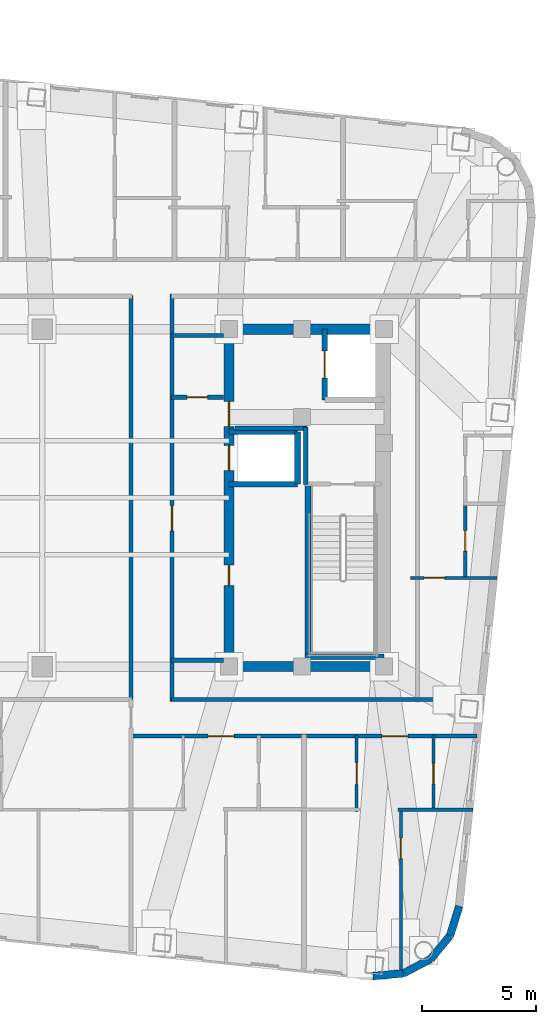
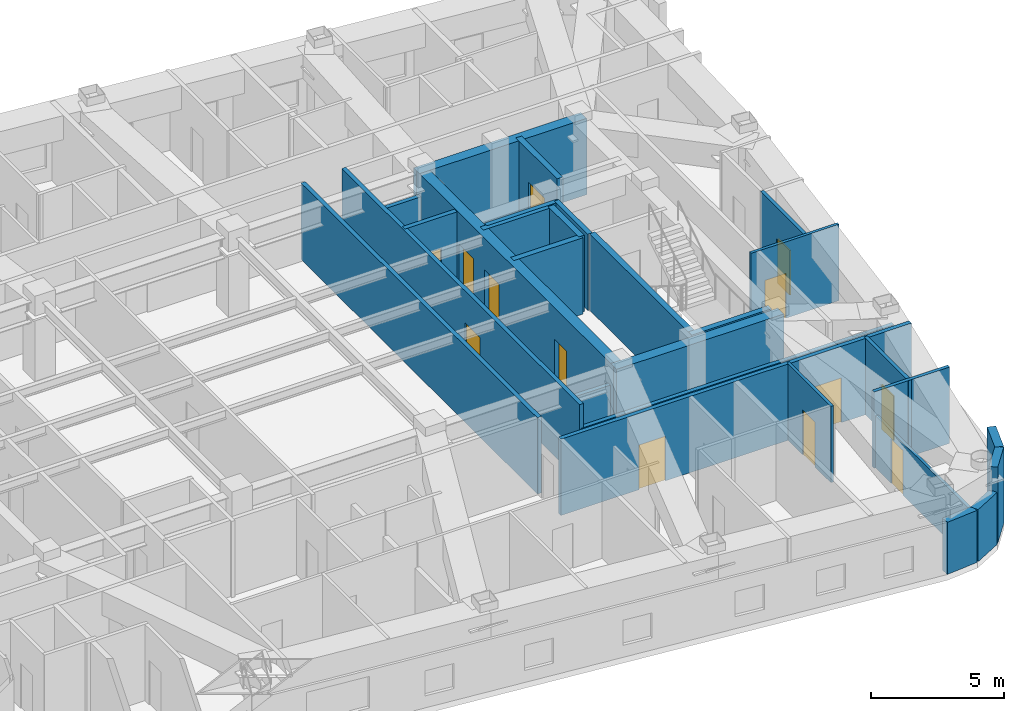
# One storey, part 7 of 12: 28 walls, 13 doors, 13 openings.
"""IFC4 building model written with IfcOpenShell, lengths in metres."""

from ifc_helpers import new_model, si_unit, direction, frame, frame_2d, origin, place, context, subcontext, project, spatial, rectangle, extrude, material, layer, layer_set, type_object, element, fill, save


model = new_model("IFC4")

# Units and contexts
model_context = context("Model", 3, precision=1e-05, world=origin(), true_north=direction((0.0, 1.0)))
body_context = subcontext(model_context, "Body", "Model", "MODEL_VIEW")
ifc_project = project(units=[si_unit("LENGTHUNIT", "METRE"), si_unit("AREAUNIT", "SQUARE_METRE"), si_unit("VOLUMEUNIT", "CUBIC_METRE"), si_unit("PLANEANGLEUNIT", "RADIAN"), si_unit("MASSUNIT", "GRAM", prefix="KILO")], contexts=[model_context])

# Site, building, storey
site_placement = place(None, origin())
site = spatial("IfcSite", under=ifc_project, at=site_placement, CompositionType="ELEMENT")
building_placement = place(site_placement, origin())
building = spatial("IfcBuilding", under=site, at=building_placement, Name="Voryun Gate Residences", CompositionType="ELEMENT")
storey_placement = place(building_placement, frame((0.0, 0.0, 306.800048828125)))
storey = spatial("IfcBuildingStorey", under=building, at=storey_placement, Name="L76", CompositionType="ELEMENT", Elevation=306.800048828125)

# Walls
ifc_material_1 = material(Name="Concrete C50/60", Category="concrete")
ifc_layer_1 = layer(ifc_material_1, 0.449951171875, Name="CW_CORE_450")
ifc_layer_set_1 = layer_set([ifc_layer_1], Name="Concrete C50/60")
wall_type_1 = type_object("IfcWallType", Name="CW_CORE_450", PredefinedType="SHEAR", material=ifc_layer_set_1)
for number, where, z_axis, x_axis, name in (
    (1, (12.175048828125, -7.39990234375, 0.0), (0.0, 0.0, 1.0), (1.0, 0.0, 0.0), "L76 Core shear wall CW-L76-ES"),
    (2, (12.175048828125, 7.39990234375, 0.0), (0.0, 0.0, 1.0), (1.0, 0.0, 0.0), "L76 Core shear wall CW-L76-EN"),
):
    element("IfcWall", number, at=place(storey_placement, frame(where, z_axis=z_axis, x_axis=x_axis)), inside=storey, type_object=wall_type_1, Name=name, PredefinedType="SHEAR", context=body_context, shape_type="SweptSolid", body=[
        extrude(rectangle(XDim=7.25, YDim=0.449951171875, at=frame_2d((3.625, 0.0))), origin(), (0.0, 0.0, 1.0), 3.5),
    ])

# Wall, openings, doors
wall_1_placement = place(storey_placement, frame((12.39990234375, -7.39990234375, 0.0), z_axis=(0.0, 0.0, 1.0), x_axis=(0.0, 1.0, 0.0)))
wall_1 = element("IfcWall", 3, at=wall_1_placement, inside=storey, type_object=wall_type_1, Name="L76 Core shear wall CW-L76-EW", PredefinedType="SHEAR", context=body_context, shape_type="SweptSolid", body=[
    extrude(rectangle(XDim=14.7998046875, YDim=0.449951171875, at=frame_2d((7.39990234375, 0.0))), origin(), (0.0, 0.0, 1.0), 3.5),
])
opening_1_placement = place(wall_1_placement, frame((8.60009765625, 0.0, 0.0)))
opening_1 = element("IfcOpeningElement", 4, at=opening_1_placement, cuts=wall_1, Name="Opening LD2", PredefinedType="OPENING", context=body_context, shape_type="SweptSolid", body=[
    extrude(rectangle(XDim=1.10009765625, YDim=2.050048828125, at=frame_2d((0.550048828125, 1.02490234375))), frame((0.0, 0.235107421875, 0.0), z_axis=(0.0, -1.0, 0.0), x_axis=(1.0, 0.0, 0.0)), (0.0, 0.0, 1.0), 0.469970703125),
])
opening_2_placement = place(wall_1_placement, frame((10.530029296875, 0.0, 0.0)))
opening_2 = element("IfcOpeningElement", 5, at=opening_2_placement, cuts=wall_1, Name="Opening D-FD60-2", PredefinedType="OPENING", context=body_context, shape_type="SweptSolid", body=[
    extrude(rectangle(XDim=1.10009765625, YDim=2.050048828125, at=frame_2d((0.550048828125, 1.02490234375))), frame((0.0, 0.235107421875, 0.0), z_axis=(0.0, -1.0, 0.0), x_axis=(1.0, 0.0, 0.0)), (0.0, 0.0, 1.0), 0.469970703125),
])
opening_3_placement = place(wall_1_placement, frame((3.550048828125, 0.0, 0.0)))
opening_3 = element("IfcOpeningElement", 6, at=opening_3_placement, cuts=wall_1, Name="Opening D-FD60-4", PredefinedType="OPENING", context=body_context, shape_type="SweptSolid", body=[
    extrude(rectangle(XDim=0.89990234375, YDim=2.050048828125, at=frame_2d((0.449951171875, 1.02490234375))), frame((0.0, 0.235107421875, 0.0), z_axis=(0.0, -1.0, 0.0), x_axis=(1.0, 0.0, 0.0)), (0.0, 0.0, 1.0), 0.469970703125),
])
ifc_material_2 = material(Name="Painted steel fire door", Category="steel")
door_type_1 = type_object("IfcDoorType", Name="DR_FD60_FFLOB_1100", OperationType="NOTDEFINED", PredefinedType="DOOR", material=ifc_material_2)
door_1_placement = place(opening_2_placement, origin())
door_1 = element("IfcDoor", 7, at=door_1_placement, inside=storey, type_object=door_type_1, Name="Door DR-L76-CLOB-E", OperationType="SINGLE_SWING_RIGHT", OverallHeight=2.050048828125, OverallWidth=1.10009765625, PredefinedType="DOOR", context=body_context, shape_type="SweptSolid", body=[
    extrude(rectangle(XDim=1.10009765625, YDim=2.050048828125, at=frame_2d((0.550048828125, 1.02490234375))), frame((0.0, 0.02490234375, 0.0), z_axis=(0.0, -1.0, 0.0), x_axis=(1.0, 0.0, 0.0)), (0.0, 0.0, 1.0), 0.050048828125),
])
fill(opening_2, door_1)
ifc_material_3 = material(Name="Painted steel fire door", Category="steel")
door_type_2 = type_object("IfcDoorType", Name="DR_FD60_RISER_900", OperationType="NOTDEFINED", PredefinedType="DOOR", material=ifc_material_3)
door_2_placement = place(opening_3_placement, origin())
door_2 = element("IfcDoor", 8, at=door_2_placement, inside=storey, type_object=door_type_2, Name="Door DR-L76-RECE-HI", OperationType="SINGLE_SWING_RIGHT", OverallHeight=2.050048828125, OverallWidth=0.89990234375, PredefinedType="DOOR", context=body_context, shape_type="SweptSolid", body=[
    extrude(rectangle(XDim=0.89990234375, YDim=2.050048828125, at=frame_2d((0.449951171875, 1.02490234375))), frame((0.0, 0.02490234375, 0.0), z_axis=(0.0, -1.0, 0.0), x_axis=(1.0, 0.0, 0.0)), (0.0, 0.0, 1.0), 0.050048828125),
])
fill(opening_3, door_2)
ifc_material_4 = material(Name="Anodised aluminium", Category="aluminium")
door_type_3 = type_object("IfcDoorType", Name="DR_LD_PASS_1100", OperationType="NOTDEFINED", PredefinedType="DOOR", material=ifc_material_4)
door_3_placement = place(opening_1_placement, origin())
door_3 = element("IfcDoor", 9, at=door_3_placement, inside=storey, type_object=door_type_3, Name="Lift EL-P8 sliding landing door L76", OperationType="SLIDING_TO_LEFT", OverallHeight=2.050048828125, OverallWidth=1.10009765625, PredefinedType="DOOR", context=body_context, shape_type="SweptSolid", body=[
    extrude(rectangle(XDim=1.10009765625, YDim=2.050048828125, at=frame_2d((0.550048828125, 1.02490234375))), frame((0.0, 0.02490234375, 0.0), z_axis=(0.0, -1.0, 0.0), x_axis=(1.0, 0.0, 0.0)), (0.0, 0.0, 1.0), 0.050048828125),
])
fill(opening_1, door_3)

# Walls
ifc_material_5 = material(Name="Gypsum acoustic fireboard")
ifc_layer_2 = layer(ifc_material_5, 0.179931640625, Name="W_CORR_RATED_180")
ifc_layer_set_2 = layer_set([ifc_layer_2], Name="Gypsum acoustic fireboard")
wall_type_2 = type_object("IfcWallType", Name="W_CORR_RATED_180", PredefinedType="PARTITIONING", material=ifc_layer_set_2)
for number, where, z_axis, x_axis, name in (
    (10, (9.8798828125, 7.1201171875, 0.0), (0.0, 0.0, 1.0), (1.0, 0.0, 0.0), "Partition wall WP-L76-PLBN-E"),
    (11, (9.8798828125, -7.1201171875, 0.0), (0.0, 0.0, 1.0), (1.0, 0.0, 0.0), "Partition wall WP-L76-PLBS-E"),
):
    element("IfcWall", number, at=place(storey_placement, frame(where, z_axis=z_axis, x_axis=x_axis)), inside=storey, type_object=wall_type_2, Name=name, PredefinedType="PARTITIONING", context=body_context, shape_type="SweptSolid", body=[
        extrude(rectangle(XDim=2.27001953125, YDim=0.179931640625, at=frame_2d((1.135009765625, 0.0))), origin(), (0.0, 0.0, 1.0), 2.5400390625),
    ])

# Wall, opening, door
wall_2_placement = place(storey_placement, frame((9.89990234375, -8.929931640625, 0.0), z_axis=(0.0, 0.0, 1.0), x_axis=(0.0, 1.0, 0.0)))
wall_2 = element("IfcWall", 12, at=wall_2_placement, inside=storey, type_object=wall_type_2, Name="Partition wall WP-L76-PLBE-FULL", PredefinedType="PARTITIONING", context=body_context, shape_type="SweptSolid", body=[
    extrude(rectangle(XDim=17.85986328125, YDim=0.179931640625, at=frame_2d((8.929931640625, 0.0))), origin(), (0.0, 0.0, 1.0), 3.5),
])
opening_4_placement = place(wall_2_placement, frame((7.487060546875, 0.0, 0.0)))
opening_4 = element("IfcOpeningElement", 13, at=opening_4_placement, cuts=wall_2, Name="Opening D-FD60-2", PredefinedType="OPENING", context=body_context, shape_type="SweptSolid", body=[
    extrude(rectangle(XDim=1.10009765625, YDim=2.050048828125, at=frame_2d((0.550048828125, 1.02490234375))), frame((0.0, 0.099853515625, 0.0), z_axis=(0.0, -1.0, 0.0), x_axis=(1.0, 0.0, 0.0)), (0.0, 0.0, 1.0), 0.199951171875),
])
door_4_placement = place(opening_4_placement, origin())
door_4 = element("IfcDoor", 14, at=door_4_placement, inside=storey, type_object=door_type_1, Name="Door DR-L76-PLBE-COR", OperationType="SINGLE_SWING_RIGHT", OverallHeight=2.050048828125, OverallWidth=1.10009765625, PredefinedType="DOOR", context=body_context, shape_type="SweptSolid", body=[
    extrude(rectangle(XDim=1.10009765625, YDim=2.050048828125, at=frame_2d((0.550048828125, 1.02490234375))), frame((0.0, 0.02490234375, 0.0), z_axis=(0.0, -1.0, 0.0), x_axis=(1.0, 0.0, 0.0)), (0.0, 0.0, 1.0), 0.050048828125),
])
fill(opening_4, door_4)

# Walls
wall_3_placement = place(storey_placement, frame((9.8798828125, -8.840087890625, 0.0), z_axis=(0.0, 0.0, 1.0), x_axis=(1.0, 0.0, 0.0)))
element("IfcWall", 15, at=wall_3_placement, inside=storey, type_object=wall_type_2, Name="Partition wall WP-L76-CWING-ES", PredefinedType="PARTITIONING", context=body_context, shape_type="SweptSolid", body=[
    extrude(rectangle(XDim=13.56884765625, YDim=0.179931640625, at=frame_2d((6.784423828125, 0.0))), origin(), (0.0, 0.0, 1.0), 2.389892578125),
])
wall_4_placement = place(storey_placement, frame((8.10009765625, -8.8798828125, 0.0), z_axis=(0.0, 0.0, 1.0), x_axis=(0.0, 1.0, 0.0)))
element("IfcWall", 16, at=wall_4_placement, inside=storey, type_object=wall_type_2, Name="Partition wall WP-L76-Z3E", PredefinedType="PARTITIONING", context=body_context, shape_type="SweptSolid", body=[
    extrude(rectangle(XDim=17.759765625, YDim=0.179931640625, at=frame_2d((8.8798828125, 0.0))), origin(), (0.0, 0.0, 1.0), 3.5),
])

# Wall, openings, doors
wall_5_placement = place(storey_placement, frame((8.080078125, -10.449951171875, 0.0), z_axis=(0.0, 0.0, 1.0), x_axis=(1.0, 0.0, 0.0)))
wall_5 = element("IfcWall", 17, at=wall_5_placement, inside=storey, type_object=wall_type_2, Name="Partition wall WP-L76-SCORR-E", PredefinedType="PARTITIONING", context=body_context, shape_type="SweptSolid", body=[
    extrude(rectangle(XDim=15.19921875, YDim=0.179931640625, at=frame_2d((7.599609375, 0.0))), origin(), (0.0, 0.0, 1.0), 3.5),
])
opening_5_placement = place(wall_5_placement, frame((3.390380859375, 0.0, 0.0)))
opening_5 = element("IfcOpeningElement", 18, at=opening_5_placement, cuts=wall_5, Name="Opening D-UNIT-1", PredefinedType="OPENING", context=body_context, shape_type="SweptSolid", body=[
    extrude(rectangle(XDim=1.14990234375, YDim=2.050048828125, at=frame_2d((0.574951171875, 1.02490234375))), frame((0.0, 0.099853515625, 0.0), z_axis=(0.0, -1.0, 0.0), x_axis=(1.0, 0.0, 0.0)), (0.0, 0.0, 1.0), 0.199951171875),
])
opening_6_placement = place(wall_5_placement, frame((11.023681640625, 0.0, 0.0)))
opening_6 = element("IfcOpeningElement", 19, at=opening_6_placement, cuts=wall_5, Name="Opening D-UNIT-1", PredefinedType="OPENING", context=body_context, shape_type="SweptSolid", body=[
    extrude(rectangle(XDim=1.14990234375, YDim=2.050048828125, at=frame_2d((0.574951171875, 1.02490234375))), frame((0.0, 0.099853515625, 0.0), z_axis=(0.0, -1.0, 0.0), x_axis=(1.0, 0.0, 0.0)), (0.0, 0.0, 1.0), 0.199951171875),
])
ifc_material_6 = material(Name="Armoured timber-clad fire door", Category="wood")
door_type_4 = type_object("IfcDoorType", Name="DR_UNIT_ENTRY_1150", OperationType="NOTDEFINED", PredefinedType="DOOR", material=ifc_material_6)
door_5_placement = place(opening_5_placement, origin())
door_5 = element("IfcDoor", 20, at=door_5_placement, inside=storey, type_object=door_type_4, Name="Door DR-L76-SENT-6", OperationType="SINGLE_SWING_LEFT", OverallHeight=2.050048828125, OverallWidth=1.14990234375, PredefinedType="DOOR", context=body_context, shape_type="SweptSolid", body=[
    extrude(rectangle(XDim=1.14990234375, YDim=2.050048828125, at=frame_2d((0.574951171875, 1.02490234375))), frame((0.0, 0.02490234375, 0.0), z_axis=(0.0, -1.0, 0.0), x_axis=(1.0, 0.0, 0.0)), (0.0, 0.0, 1.0), 0.050048828125),
])
fill(opening_5, door_5)
door_6_placement = place(opening_6_placement, origin())
door_6 = element("IfcDoor", 21, at=door_6_placement, inside=storey, type_object=door_type_4, Name="Door DR-L76-SENT-7", OperationType="SINGLE_SWING_RIGHT", OverallHeight=2.050048828125, OverallWidth=1.14990234375, PredefinedType="DOOR", context=body_context, shape_type="SweptSolid", body=[
    extrude(rectangle(XDim=1.14990234375, YDim=2.050048828125, at=frame_2d((0.574951171875, 1.02490234375))), frame((0.0, 0.02490234375, 0.0), z_axis=(0.0, -1.0, 0.0), x_axis=(1.0, 0.0, 0.0)), (0.0, 0.0, 1.0), 0.050048828125),
])
fill(opening_6, door_6)

# Walls
ifc_material_7 = material(Name="Charcoal terracotta masonry", Category="masonry")
ifc_layer_3 = layer(ifc_material_7, 0.340087890625, Name="W_EXT_TERRACOTTA_340")
ifc_layer_set_3 = layer_set([ifc_layer_3], Name="Charcoal terracotta masonry")
wall_type_3 = type_object("IfcWallType", Name="W_EXT_TERRACOTTA_340", PredefinedType="ELEMENTEDWALL", material=ifc_layer_set_3)
wall_6_placement = place(storey_placement, frame((22.495849609375, -17.904541015625, 0.0), z_axis=(0.0, 0.0, 1.0), x_axis=(-0.296416228123, -0.955058856671, 0.0)))
element("IfcWall", 22, at=wall_6_placement, inside=storey, type_object=wall_type_3, Name="Exterior wall WEXT-L76-17", PredefinedType="ELEMENTEDWALL", context=body_context, shape_type="SweptSolid", body=[
    extrude(rectangle(XDim=1.35400390625, YDim=0.340087890625, at=frame_2d((0.677001953125, 0.0))), origin(), (0.0, 0.0, 1.0), 3.5),
])
wall_7_placement = place(storey_placement, frame((22.094482421875, -19.19775390625, 0.0), z_axis=(0.0, 0.0, 1.0), x_axis=(-0.639501603217, -0.768789762863, 0.0)))
element("IfcWall", 23, at=wall_7_placement, inside=storey, type_object=wall_type_3, Name="Exterior wall WEXT-L76-18", PredefinedType="ELEMENTEDWALL", context=body_context, shape_type="SweptSolid", body=[
    extrude(rectangle(XDim=1.3369140625, YDim=0.340087890625, at=frame_2d((0.66845703125, 0.0))), origin(), (0.0, 0.0, 1.0), 3.5),
])
wall_8_placement = place(storey_placement, frame((21.239501953125, -20.2255859375, 0.0), z_axis=(0.0, 0.0, 1.0), x_axis=(-0.884922182678, -0.465738908193, 0.0)))
element("IfcWall", 24, at=wall_8_placement, inside=storey, type_object=wall_type_3, Name="Exterior wall WEXT-L76-19", PredefinedType="ELEMENTEDWALL", context=body_context, shape_type="SweptSolid", body=[
    extrude(rectangle(XDim=1.337158203125, YDim=0.340087890625, at=frame_2d((0.66845703125, 0.0))), origin(), (0.0, 0.0, 1.0), 2.389892578125),
])
wall_9_placement = place(storey_placement, frame((20.05615234375, -20.848388671875, 0.0), z_axis=(0.0, 0.0, 1.0), x_axis=(-0.995813013343, -0.091413579172, 0.0)))
element("IfcWall", 25, at=wall_9_placement, inside=storey, type_object=wall_type_3, Name="Exterior wall WEXT-L76-20", PredefinedType="ELEMENTEDWALL", context=body_context, shape_type="SweptSolid", body=[
    extrude(rectangle(XDim=1.35400390625, YDim=0.340087890625, at=frame_2d((0.677001953125, 0.0))), origin(), (0.0, 0.0, 1.0), 2.389892578125),
])
ifc_material_8 = material(Name="Concrete C40/50", Category="concrete")
ifc_layer_4 = layer(ifc_material_8, 0.199951171875, Name="W_FF_LOBBY_200")
ifc_layer_set_4 = layer_set([ifc_layer_4], Name="Concrete C40/50")
wall_type_4 = type_object("IfcWallType", Name="W_FF_LOBBY_200", PredefinedType="PARTITIONING", material=ifc_layer_set_4)
wall_10_placement = place(storey_placement, frame((15.760009765625, 0.580078125, 0.0), z_axis=(0.0, 0.0, 1.0), x_axis=(0.0, 1.0, 0.0)))
element("IfcWall", 26, at=wall_10_placement, inside=storey, type_object=wall_type_4, Name="Partition wall WP-L76-FFP0-E", PredefinedType="PARTITIONING", context=body_context, shape_type="SweptSolid", body=[
    extrude(rectangle(XDim=2.52001953125, YDim=0.199951171875, at=frame_2d((1.260009765625, 0.0))), origin(), (0.0, 0.0, 1.0), 3.5),
])
wall_11_placement = place(storey_placement, frame((12.659912109375, 3.06005859375, 0.0), z_axis=(0.0, 0.0, 1.0), x_axis=(1.0, 0.0, 0.0)))
element("IfcWall", 27, at=wall_11_placement, inside=storey, type_object=wall_type_4, Name="Partition wall WP-L76-FFPS-E", PredefinedType="PARTITIONING", context=body_context, shape_type="SweptSolid", body=[
    extrude(rectangle(XDim=3.16015625, YDim=0.199951171875, at=frame_2d((1.580078125, 0.0))), origin(), (0.0, 0.0, 1.0), 3.5),
])

# Wall, opening, door
wall_12_placement = place(storey_placement, frame((9.8798828125, 4.409912109375, 0.0), z_axis=(0.0, 0.0, 1.0), x_axis=(1.0, 0.0, 0.0)))
wall_12 = element("IfcWall", 28, at=wall_12_placement, inside=storey, type_object=wall_type_4, Name="Partition wall WP-L76-CSFLKS-E", PredefinedType="PARTITIONING", context=body_context, shape_type="SweptSolid", body=[
    extrude(rectangle(XDim=2.27001953125, YDim=0.199951171875, at=frame_2d((1.135009765625, 0.0))), origin(), (0.0, 0.0, 1.0), 3.5),
])
opening_7_placement = place(wall_12_placement, frame((0.68505859375, 0.0, 0.0)))
opening_7 = element("IfcOpeningElement", 29, at=opening_7_placement, cuts=wall_12, Name="Opening D-FD60-4", PredefinedType="OPENING", context=body_context, shape_type="SweptSolid", body=[
    extrude(rectangle(XDim=0.89990234375, YDim=2.050048828125, at=frame_2d((0.449951171875, 1.02490234375))), frame((0.0, 0.110107421875, 0.0), z_axis=(0.0, -1.0, 0.0), x_axis=(1.0, 0.0, 0.0)), (0.0, 0.0, 1.0), 0.219970703125),
])
door_7_placement = place(opening_7_placement, origin())
door_7 = element("IfcDoor", 30, at=door_7_placement, inside=storey, type_object=door_type_2, Name="Door DR-L76-CSFLK-E", OperationType="SINGLE_SWING_RIGHT", OverallHeight=2.050048828125, OverallWidth=0.89990234375, PredefinedType="DOOR", context=body_context, shape_type="SweptSolid", body=[
    extrude(rectangle(XDim=0.89990234375, YDim=2.050048828125, at=frame_2d((0.449951171875, 1.02490234375))), frame((0.0, 0.02490234375, 0.0), z_axis=(0.0, -1.0, 0.0), x_axis=(1.0, 0.0, 0.0)), (0.0, 0.0, 1.0), 0.050048828125),
])
fill(opening_7, door_7)

# Walls
ifc_material_9 = material(Name="Concrete C50/60", Category="concrete")
ifc_layer_5 = layer(ifc_material_9, 0.25, Name="W_SHAFT_RC250")
ifc_layer_set_5 = layer_set([ifc_layer_5], Name="Concrete C50/60")
wall_type_5 = type_object("IfcWallType", Name="W_SHAFT_RC250", PredefinedType="SOLIDWALL", material=ifc_layer_set_5)
wall_13_placement = place(storey_placement, frame((15.860107421875, -7.0849609375, 0.0), z_axis=(0.0, 0.0, 1.0), x_axis=(0.0, 1.0, 0.0)))
element("IfcWall", 31, at=wall_13_placement, inside=storey, type_object=wall_type_5, Name="L76 Stair shaft structural wall E-STL", PredefinedType="SOLIDWALL", context=body_context, shape_type="SweptSolid", body=[
    extrude(rectangle(XDim=7.68505859375, YDim=0.25, at=frame_2d((3.842529296875, 0.0))), origin(), (0.0, 0.0, 1.0), 3.5),
])
wall_14_placement = place(storey_placement, frame((15.739990234375, -6.965087890625, 0.0), z_axis=(0.0, 0.0, 1.0), x_axis=(1.0, 0.0, 0.0)))
element("IfcWall", 32, at=wall_14_placement, inside=storey, type_object=wall_type_5, Name="L76 Stair shaft structural wall E-STS", PredefinedType="SOLIDWALL", context=body_context, shape_type="SweptSolid", body=[
    extrude(rectangle(XDim=3.4599609375, YDim=0.25, at=frame_2d((1.72998046875, 0.0))), origin(), (0.0, 0.0, 1.0), 3.5),
])

# Wall, opening, door
wall_15_placement = place(storey_placement, frame((16.60009765625, 7.39990234375, 0.0), z_axis=(0.0, 0.0, 1.0), x_axis=(0.0, -1.0, 0.0)))
wall_15 = element("IfcWall", 33, at=wall_15_placement, inside=storey, type_object=wall_type_5, Name="Lift shaft wall WSH-L76-EL-FF-E1-W", PredefinedType="SOLIDWALL", context=body_context, shape_type="SweptSolid", body=[
    extrude(rectangle(XDim=3.099853515625, YDim=0.25, at=frame_2d((1.5498046875, 0.0))), origin(), (0.0, 0.0, 1.0), 3.5),
])
opening_8_placement = place(wall_15_placement, frame((0.949951171875, 0.0, 0.0)))
opening_8 = element("IfcOpeningElement", 34, at=opening_8_placement, cuts=wall_15, Name="Opening LD1", PredefinedType="OPENING", context=body_context, shape_type="SweptSolid", body=[
    extrude(rectangle(XDim=1.199951171875, YDim=2.050048828125, at=frame_2d((0.60009765625, 1.02490234375))), frame((0.0, 0.135009765625, 0.0), z_axis=(0.0, -1.0, 0.0), x_axis=(1.0, 0.0, 0.0)), (0.0, 0.0, 1.0), 0.27001953125),
])
ifc_material_10 = material(Name="Anodised aluminium", Category="aluminium")
door_type_5 = type_object("IfcDoorType", Name="DR_LD_FF_1200", OperationType="NOTDEFINED", PredefinedType="DOOR", material=ifc_material_10)
door_8_placement = place(opening_8_placement, origin())
door_8 = element("IfcDoor", 35, at=door_8_placement, inside=storey, type_object=door_type_5, Name="Lift EL-FF-E1 sliding landing door L76", OperationType="SLIDING_TO_LEFT", OverallHeight=2.050048828125, OverallWidth=1.199951171875, PredefinedType="DOOR", context=body_context, shape_type="SweptSolid", body=[
    extrude(rectangle(XDim=1.199951171875, YDim=2.050048828125, at=frame_2d((0.60009765625, 1.02490234375))), frame((0.0, 0.02490234375, 0.0), z_axis=(0.0, -1.0, 0.0), x_axis=(1.0, 0.0, 0.0)), (0.0, 0.0, 1.0), 0.050048828125),
])
fill(opening_8, door_8)

# Walls
wall_16_placement = place(storey_placement, frame((12.39990234375, 0.60009765625, 0.0), z_axis=(0.0, 0.0, 1.0), x_axis=(1.0, 0.0, 0.0)))
element("IfcWall", 36, at=wall_16_placement, inside=storey, type_object=wall_type_5, Name="Lift shaft wall WSH-L76-EL-P8-S", PredefinedType="SOLIDWALL", context=body_context, shape_type="SweptSolid", body=[
    extrude(rectangle(XDim=3.0, YDim=0.25, at=frame_2d((1.5, 0.0))), origin(), (0.0, 0.0, 1.0), 3.5),
])
wall_17_placement = place(storey_placement, frame((15.39990234375, 0.60009765625, 0.0), z_axis=(0.0, 0.0, 1.0), x_axis=(0.0, 1.0, 0.0)))
element("IfcWall", 37, at=wall_17_placement, inside=storey, type_object=wall_type_5, Name="Lift shaft wall WSH-L76-EL-P8-E", PredefinedType="SOLIDWALL", context=body_context, shape_type="SweptSolid", body=[
    extrude(rectangle(XDim=2.2998046875, YDim=0.25, at=frame_2d((1.14990234375, 0.0))), origin(), (0.0, 0.0, 1.0), 3.5),
])
wall_18_placement = place(storey_placement, frame((15.39990234375, 2.89990234375, 0.0), z_axis=(0.0, 0.0, 1.0), x_axis=(-1.0, 0.0, 0.0)))
element("IfcWall", 38, at=wall_18_placement, inside=storey, type_object=wall_type_5, Name="Lift shaft wall WSH-L76-EL-P8-N", PredefinedType="SOLIDWALL", context=body_context, shape_type="SweptSolid", body=[
    extrude(rectangle(XDim=3.0, YDim=0.25, at=frame_2d((1.5, 0.0))), origin(), (0.0, 0.0, 1.0), 3.5),
])

# Wall, opening, door
ifc_material_11 = material(Name="Gypsum acoustic partition")
ifc_layer_6 = layer(ifc_material_11, 0.125, Name="W_UNIT_PART_125")
ifc_layer_set_6 = layer_set([ifc_layer_6], Name="Gypsum acoustic partition")
wall_type_6 = type_object("IfcWallType", Name="W_UNIT_PART_125", PredefinedType="PARTITIONING", material=ifc_layer_set_6)
wall_19_placement = place(storey_placement, frame((19.93408203125, -21.010009765625, 0.0), z_axis=(0.0, 0.0, 1.0), x_axis=(0.0, 1.0, 0.0)))
wall_19 = element("IfcWall", 39, at=wall_19_placement, inside=storey, type_object=wall_type_6, Name="Partition wall WP-L76-S7-OVR", PredefinedType="PARTITIONING", context=body_context, shape_type="SweptSolid", body=[
    extrude(rectangle(XDim=7.419921875, YDim=0.125, at=frame_2d((3.7099609375, 0.0))), origin(), (0.0, 0.0, 1.0), 2.389892578125),
])
opening_9_placement = place(wall_19_placement, frame((5.189208984375, 0.0, 0.0)))
opening_9 = element("IfcOpeningElement", 40, at=opening_9_placement, cuts=wall_19, Name="Opening D-INT-2", PredefinedType="OPENING", context=body_context, shape_type="SweptSolid", body=[
    extrude(rectangle(XDim=0.89990234375, YDim=2.050048828125, at=frame_2d((0.449951171875, 1.02490234375))), frame((0.0, 0.072509765625, 0.0), z_axis=(0.0, -1.0, 0.0), x_axis=(1.0, 0.0, 0.0)), (0.0, 0.0, 1.0), 0.14501953125),
])
ifc_material_12 = material(Name="Architectural oak veneer")
door_type_6 = type_object("IfcDoorType", Name="DR_INT_BATH_900", OperationType="NOTDEFINED", PredefinedType="DOOR", material=ifc_material_12)
door_9_placement = place(opening_9_placement, origin())
door_9 = element("IfcDoor", 41, at=door_9_placement, inside=storey, type_object=door_type_6, Name="Door DR-L76-S7-DMB", OperationType="SINGLE_SWING_RIGHT", OverallHeight=2.050048828125, OverallWidth=0.89990234375, PredefinedType="DOOR", context=body_context, shape_type="SweptSolid", body=[
    extrude(rectangle(XDim=0.89990234375, YDim=2.050048828125, at=frame_2d((0.449951171875, 1.02490234375))), frame((0.0, 0.02490234375, 0.0), z_axis=(0.0, -1.0, 0.0), x_axis=(1.0, 0.0, 0.0)), (0.0, 0.0, 1.0), 0.050048828125),
])
fill(opening_9, door_9)

wall_20_placement = place(storey_placement, frame((17.991943359375, -13.75, 0.0), z_axis=(0.0, 0.0, 1.0), x_axis=(0.0, 1.0, 0.0)))
wall_20 = element("IfcWall", 42, at=wall_20_placement, inside=storey, type_object=wall_type_6, Name="Partition wall WP-L76-S7-IVK", PredefinedType="PARTITIONING", context=body_context, shape_type="SweptSolid", body=[
    extrude(rectangle(XDim=3.320068359375, YDim=0.125, at=frame_2d((1.66015625, 0.0))), origin(), (0.0, 0.0, 1.0), 3.5),
])
opening_10_placement = place(wall_20_placement, frame((1.18505859375, 0.0, 0.0)))
opening_10 = element("IfcOpeningElement", 43, at=opening_10_placement, cuts=wall_20, Name="Opening D-INT-1", PredefinedType="OPENING", context=body_context, shape_type="SweptSolid", body=[
    extrude(rectangle(XDim=0.949951171875, YDim=2.050048828125, at=frame_2d((0.47509765625, 1.02490234375))), frame((0.0, 0.072509765625, 0.0), z_axis=(0.0, -1.0, 0.0), x_axis=(1.0, 0.0, 0.0)), (0.0, 0.0, 1.0), 0.14501953125),
])
ifc_material_13 = material(Name="Architectural oak veneer")
door_type_7 = type_object("IfcDoorType", Name="DR_INT_ROOM_950", OperationType="NOTDEFINED", PredefinedType="DOOR", material=ifc_material_13)
door_10_placement = place(opening_10_placement, origin())
door_10 = element("IfcDoor", 44, at=door_10_placement, inside=storey, type_object=door_type_7, Name="Door DR-L76-S7-DK", OperationType="SINGLE_SWING_LEFT", OverallHeight=2.050048828125, OverallWidth=0.949951171875, PredefinedType="DOOR", context=body_context, shape_type="SweptSolid", body=[
    extrude(rectangle(XDim=0.949951171875, YDim=2.050048828125, at=frame_2d((0.47509765625, 1.02490234375))), frame((0.0, 0.02490234375, 0.0), z_axis=(0.0, -1.0, 0.0), x_axis=(1.0, 0.0, 0.0)), (0.0, 0.0, 1.0), 0.050048828125),
])
fill(opening_10, door_10)

wall_21_placement = place(storey_placement, frame((20.35009765625, -3.510009765625, 0.0), z_axis=(0.0, 0.0, 1.0), x_axis=(1.0, 0.0, 0.0)))
wall_21 = element("IfcWall", 45, at=wall_21_placement, inside=storey, type_object=wall_type_6, Name="Partition wall WP-L76-E1-HZ3", PredefinedType="PARTITIONING", context=body_context, shape_type="SweptSolid", body=[
    extrude(rectangle(XDim=3.8095703125, YDim=0.125, at=frame_2d((1.90478515625, 0.0))), origin(), (0.0, 0.0, 1.0), 3.5),
])
opening_11_placement = place(wall_21_placement, frame((0.608154296875, 0.0, 0.0)))
opening_11 = element("IfcOpeningElement", 46, at=opening_11_placement, cuts=wall_21, Name="Opening D-INT-2", PredefinedType="OPENING", context=body_context, shape_type="SweptSolid", body=[
    extrude(rectangle(XDim=0.89990234375, YDim=2.050048828125, at=frame_2d((0.449951171875, 1.02490234375))), frame((0.0, 0.072509765625, 0.0), z_axis=(0.0, -1.0, 0.0), x_axis=(1.0, 0.0, 0.0)), (0.0, 0.0, 1.0), 0.14501953125),
])
door_11_placement = place(opening_11_placement, origin())
door_11 = element("IfcDoor", 47, at=door_11_placement, inside=storey, type_object=door_type_6, Name="Door DR-L76-E1-DMB", OperationType="SINGLE_SWING_LEFT", OverallHeight=2.050048828125, OverallWidth=0.89990234375, PredefinedType="DOOR", context=body_context, shape_type="SweptSolid", body=[
    extrude(rectangle(XDim=0.89990234375, YDim=2.050048828125, at=frame_2d((0.449951171875, 1.02490234375))), frame((0.0, 0.02490234375, 0.0), z_axis=(0.0, -1.0, 0.0), x_axis=(1.0, 0.0, 0.0)), (0.0, 0.0, 1.0), 0.050048828125),
])
fill(opening_11, door_11)

# Wall
ifc_material_14 = material(Name="Gypsum moisture-resistant partition")
ifc_layer_7 = layer(ifc_material_14, 0.14990234375, Name="W_WET_PLUMB_150")
ifc_layer_set_7 = layer_set([ifc_layer_7], Name="Gypsum moisture-resistant partition")
wall_type_7 = type_object("IfcWallType", Name="W_WET_PLUMB_150", PredefinedType="PLUMBINGWALL", material=ifc_layer_set_7)
wall_22_placement = place(storey_placement, frame((19.81396484375, -13.669921875, 0.0), z_axis=(0.0, 0.0, 1.0), x_axis=(1.0, 0.0, 0.0)))
element("IfcWall", 48, at=wall_22_placement, inside=storey, type_object=wall_type_7, Name="Partition wall WP-L76-S7-HZB", PredefinedType="PLUMBINGWALL", context=body_context, shape_type="SweptSolid", body=[
    extrude(rectangle(XDim=3.27783203125, YDim=0.14990234375, at=frame_2d((1.638916015625, 0.0))), origin(), (0.0, 0.0, 1.0), 3.5),
])

# Wall, opening, door
wall_23_placement = place(storey_placement, frame((21.364013671875, -13.75, 0.0), z_axis=(0.0, 0.0, 1.0), x_axis=(0.0, 1.0, 0.0)))
wall_23 = element("IfcWall", 49, at=wall_23_placement, inside=storey, type_object=wall_type_7, Name="Partition wall WP-L76-S7-IVB", PredefinedType="PLUMBINGWALL", context=body_context, shape_type="SweptSolid", body=[
    extrude(rectangle(XDim=3.320068359375, YDim=0.14990234375, at=frame_2d((1.66015625, 0.0))), origin(), (0.0, 0.0, 1.0), 3.5),
])
opening_12_placement = place(wall_23_placement, frame((1.2099609375, 0.0, 0.0)))
opening_12 = element("IfcOpeningElement", 50, at=opening_12_placement, cuts=wall_23, Name="Opening D-INT-2", PredefinedType="OPENING", context=body_context, shape_type="SweptSolid", body=[
    extrude(rectangle(XDim=0.89990234375, YDim=2.050048828125, at=frame_2d((0.449951171875, 1.02490234375))), frame((0.0, 0.0849609375, 0.0), z_axis=(0.0, -1.0, 0.0), x_axis=(1.0, 0.0, 0.0)), (0.0, 0.0, 1.0), 0.169921875),
])
door_12_placement = place(opening_12_placement, origin())
door_12 = element("IfcDoor", 51, at=door_12_placement, inside=storey, type_object=door_type_6, Name="Door DR-L76-S7-DB", OperationType="SINGLE_SWING_RIGHT", OverallHeight=2.050048828125, OverallWidth=0.89990234375, PredefinedType="DOOR", context=body_context, shape_type="SweptSolid", body=[
    extrude(rectangle(XDim=0.89990234375, YDim=2.050048828125, at=frame_2d((0.449951171875, 1.02490234375))), frame((0.0, 0.02490234375, 0.0), z_axis=(0.0, -1.0, 0.0), x_axis=(1.0, 0.0, 0.0)), (0.0, 0.0, 1.0), 0.050048828125),
])
fill(opening_12, door_12)

wall_24_placement = place(storey_placement, frame((22.760009765625, -3.550048828125, 0.0), z_axis=(0.0, 0.0, 1.0), x_axis=(0.0, 1.0, 0.0)))
wall_24 = element("IfcWall", 52, at=wall_24_placement, inside=storey, type_object=wall_type_7, Name="Partition wall WP-L76-E1-VKB1", PredefinedType="PLUMBINGWALL", context=body_context, shape_type="SweptSolid", body=[
    extrude(rectangle(XDim=3.330078125, YDim=0.14990234375, at=frame_2d((1.6650390625, 0.0))), origin(), (0.0, 0.0, 1.0), 3.5),
])
opening_13_placement = place(wall_24_placement, frame((1.215087890625, 0.0, 0.0)))
opening_13 = element("IfcOpeningElement", 53, at=opening_13_placement, cuts=wall_24, Name="Opening D-INT-2", PredefinedType="OPENING", context=body_context, shape_type="SweptSolid", body=[
    extrude(rectangle(XDim=0.89990234375, YDim=2.050048828125, at=frame_2d((0.449951171875, 1.02490234375))), frame((0.0, 0.0849609375, 0.0), z_axis=(0.0, -1.0, 0.0), x_axis=(1.0, 0.0, 0.0)), (0.0, 0.0, 1.0), 0.169921875),
])
door_13_placement = place(opening_13_placement, origin())
door_13 = element("IfcDoor", 54, at=door_13_placement, inside=storey, type_object=door_type_6, Name="Door DR-L76-E1-DB", OperationType="SINGLE_SWING_LEFT", OverallHeight=2.050048828125, OverallWidth=0.89990234375, PredefinedType="DOOR", context=body_context, shape_type="SweptSolid", body=[
    extrude(rectangle(XDim=0.89990234375, YDim=2.050048828125, at=frame_2d((0.449951171875, 1.02490234375))), frame((0.0, 0.02490234375, 0.0), z_axis=(0.0, -1.0, 0.0), x_axis=(1.0, 0.0, 0.0)), (0.0, 0.0, 1.0), 0.050048828125),
])
fill(opening_13, door_13)

save(model, "model.ifc")
